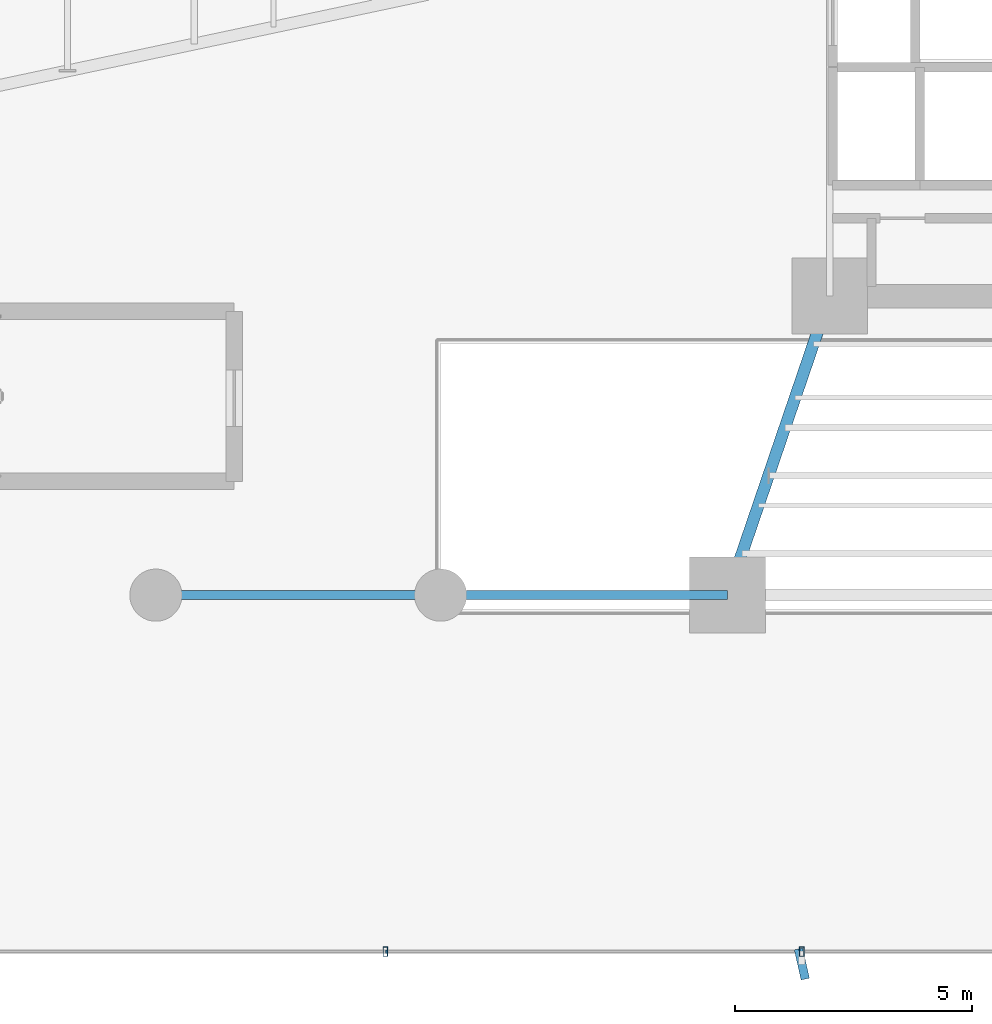
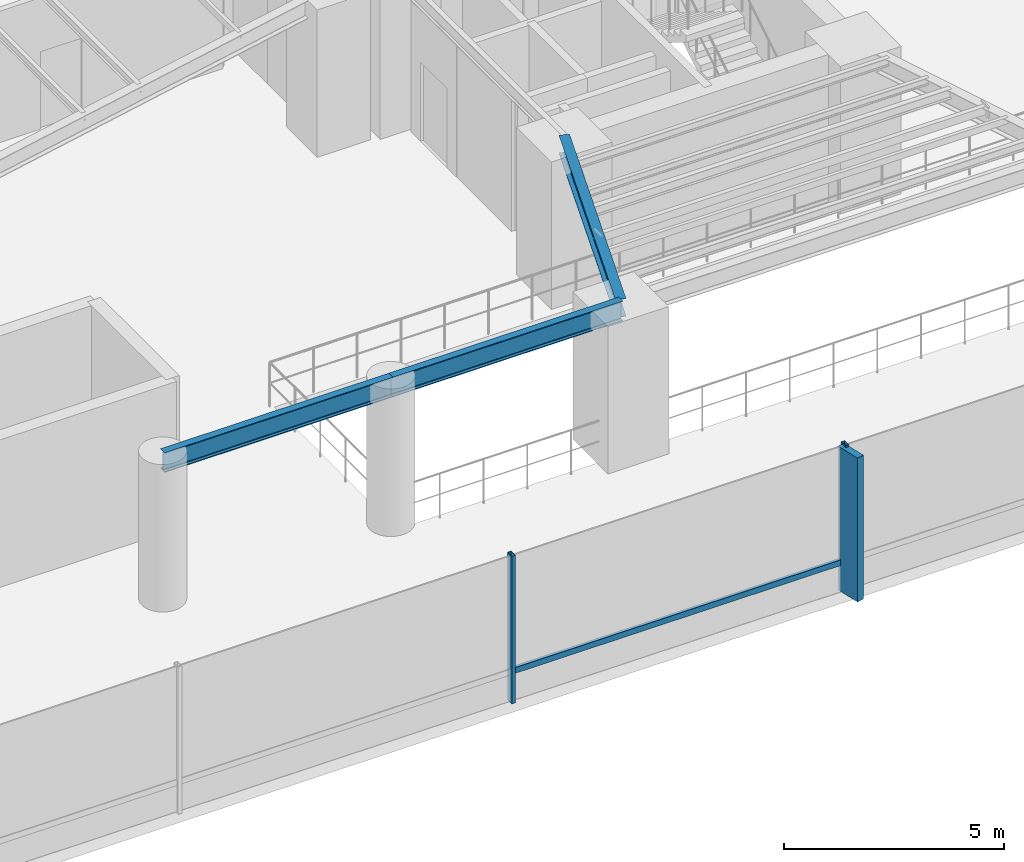
# One storey, part 4 of 23: 4 members, 3 beams, 1 element without a shape of its own.
"""IFC4 building model written with IfcOpenShell, lengths in metres."""

from ifc_helpers import new_model, si_unit, direction, frame, origin, origin_2d, place, context, subcontext, project, spatial, rectangle, hollow_rectangle, i_section, extrude, source, transform, mapped, material, material_profile, profile_set, type_object, element, aggregate, save


model = new_model("IFC4")

# Units and contexts
model_context = context("Model", 3, precision=1e-05, world=origin(), true_north=direction((0.0, 1.0)))
body_context = subcontext(model_context, "Body", "Model", "MODEL_VIEW")
ifc_project = project(units=[si_unit("LENGTHUNIT", "METRE"), si_unit("AREAUNIT", "SQUARE_METRE"), si_unit("VOLUMEUNIT", "CUBIC_METRE"), si_unit("PLANEANGLEUNIT", "RADIAN"), si_unit("MASSUNIT", "GRAM", prefix="KILO")], contexts=[model_context])

# Site, building, storey
site_placement = place(None, origin())
site = spatial("IfcSite", under=ifc_project, at=site_placement, CompositionType="ELEMENT")
building_placement = place(site_placement, origin())
building = spatial("IfcBuilding", under=site, at=building_placement, Name="Sahyath Konkavel Grand Hotel", CompositionType="ELEMENT")
storey_placement = place(building_placement, frame((0.0, 0.0, 4.800048828125)))
storey = spatial("IfcBuildingStorey", under=building, at=storey_placement, Name="L01", CompositionType="ELEMENT", Elevation=4.800048828125)

# Beams
ifc_material_1 = material(Name="Steel E350", Category="steel")
ifc_material_profile_1 = material_profile(ifc_material_1, i_section(OverallWidth=0.25, OverallDepth=0.5, WebThickness=0.010009765625, FlangeThickness=0.0146484375, FilletRadius=0.014892578125, at=origin_2d()), Name="ISWB 500")
ifc_profile_set_1 = profile_set([ifc_material_profile_1], Name="Steel E350")
beam_type_1 = type_object("IfcBeamType", Name="BM-ISWB500", PredefinedType="BEAM", material=ifc_profile_set_1)
shared_shape_1 = source(origin(), body_context, "Body", "SweptSolid", [
    extrude(i_section(OverallWidth=0.25, OverallDepth=0.5, WebThickness=0.010009765625, FlangeThickness=0.0146484375, FilletRadius=0.014892578125, at=origin_2d()), origin(), (0.0, 0.0, 1.0), 6.65673828125),
])
beam_1_placement = place(storey_placement, frame((-3.800048828125, -10.199951171875, 3.849853515625), z_axis=(-0.322964397437, -0.946411114679, 0.0), x_axis=(0.946411114679, -0.322964397437, 0.0)))
element("IfcBeam", 1, at=beam_1_placement, inside=storey, type_object=beam_type_1, Name="L01 Podium Primary Girder SA", PredefinedType="BEAM", context=body_context, shape_type="MappedRepresentation", body=[
    mapped(shared_shape_1, transform((0.0, 0.0, 0.0), scale=1.0)),
])
ifc_material_profile_2 = material_profile(ifc_material_1, i_section(OverallWidth=0.18994140625, OverallDepth=0.550048828125, WebThickness=0.01123046875, FlangeThickness=0.019287109375, FilletRadius=0.01806640625, at=origin_2d()), Name="ISMB 550")
ifc_profile_set_2 = profile_set([ifc_material_profile_2], Name="Steel E350")
beam_type_2 = type_object("IfcBeamType", Name="BM-ISMB550", PredefinedType="BEAM", material=ifc_profile_set_2)
shared_shape_2 = source(origin(), body_context, "Body", "SweptSolid", [
    extrude(i_section(OverallWidth=0.18994140625, OverallDepth=0.550048828125, WebThickness=0.01123046875, FlangeThickness=0.019287109375, FilletRadius=0.01806640625, at=origin_2d()), origin(), (0.0, 0.0, 1.0), 6.0),
])
beam_2_placement = place(storey_placement, frame((-18.0, -16.5, 3.824951171875), z_axis=(1.0, 0.0, 0.0), x_axis=(0.0, 1.0, 0.0)))
element("IfcBeam", 2, at=beam_2_placement, inside=storey, type_object=beam_type_2, Name="str:bm:L01:POD-05", PredefinedType="BEAM", context=body_context, shape_type="MappedRepresentation", body=[
    mapped(shared_shape_2, transform((0.0, 0.0, 0.0), scale=1.0)),
])
shared_shape_3 = source(origin(), body_context, "Body", "SweptSolid", [
    extrude(i_section(OverallWidth=0.18994140625, OverallDepth=0.550048828125, WebThickness=0.01123046875, FlangeThickness=0.019287109375, FilletRadius=0.01806640625, at=origin_2d()), origin(), (0.0, 0.0, 1.0), 6.050048828125),
])
beam_3_placement = place(storey_placement, frame((-12.0, -16.5, 3.824951171875), z_axis=(1.0, 0.0, 0.0), x_axis=(0.0, 1.0, 0.0)))
element("IfcBeam", 3, at=beam_3_placement, inside=storey, type_object=beam_type_2, Name="str:bm:L01:POD-06", PredefinedType="BEAM", context=body_context, shape_type="MappedRepresentation", body=[
    mapped(shared_shape_3, transform((0.0, 0.0, 0.0), scale=1.0)),
])

# Curtain wall, members
ifc_material_2 = material(Name="Anodised Bronze Aluminium & Low-E Glazing", Category="aluminium")
curtain_wall_type = type_object("IfcCurtainWallType", Name="CW-PODIUM", PredefinedType="NOTDEFINED", material=ifc_material_2)
curtain_wall_placement = place(storey_placement, origin())
curtain_wall = element("IfcCurtainWall", 4, at=curtain_wall_placement, inside=storey, type_object=curtain_wall_type, Name="L01 Unitised Curtain Wall S", PredefinedType="NOTDEFINED")
ifc_material_3 = material(Name="Anodised Bronze Aluminium", Category="aluminium")
ifc_material_profile_3 = material_profile(ifc_material_3, hollow_rectangle(XDim=0.10009765625, YDim=0.199951171875, WallThickness=0.008056640625, at=origin_2d()), Name="RHS 200x100x8")
ifc_profile_set_3 = profile_set([ifc_material_profile_3], Name="Anodised Bronze Aluminium")
member_type_1 = type_object("IfcMemberType", Name="CW-MUL-200", PredefinedType="MULLION", material=ifc_profile_set_3)
shared_shape_4 = source(origin(), body_context, "Body", "SweptSolid", [
    extrude(hollow_rectangle(XDim=0.10009765625, YDim=0.199951171875, WallThickness=0.008056640625, at=origin_2d()), origin(), (0.0, 0.0, 1.0), 4.099853515625),
])
member_1_placement = place(storey_placement, frame((-13.162353515625, -24.012939453125, 0.0), z_axis=(0.0, 0.0, 1.0), x_axis=(1.0, 0.0, 0.0)))
member_1 = element("IfcMember", 5, at=member_1_placement, type_object=member_type_1, Name="L01 Curtain Wall Mullion S-2", PredefinedType="MULLION", context=body_context, shape_type="MappedRepresentation", body=[
    mapped(shared_shape_4, transform((0.0, 0.0, 0.0), scale=1.0)),
])
member_2_placement = place(storey_placement, frame((-4.387451171875, -24.012939453125, 0.0), z_axis=(0.0, 0.0, 1.0), x_axis=(1.0, 0.0, 0.0)))
member_2 = element("IfcMember", 6, at=member_2_placement, type_object=member_type_1, Name="L01 Curtain Wall Mullion S-3", PredefinedType="MULLION", context=body_context, shape_type="MappedRepresentation", body=[
    mapped(shared_shape_4, transform((0.0, 0.0, 0.0), scale=1.0)),
])
ifc_material_4 = material(Name="Warm Buff Sandstone Cladding on Concrete C50/60", Category="masonry")
ifc_material_profile_4 = material_profile(ifc_material_4, rectangle(XDim=0.179931640625, YDim=0.64990234375, at=origin_2d()), Name="FIN 180x650")
ifc_profile_set_4 = profile_set([ifc_material_profile_4], Name="Warm Buff Sandstone Cladding on Concrete C50/60")
member_type_2 = type_object("IfcMemberType", Name="FIN-SANDSTONE-650", PredefinedType="MULLION", material=ifc_profile_set_4)
shared_shape_5 = source(origin(), body_context, "Body", "SweptSolid", [
    extrude(rectangle(XDim=0.179931640625, YDim=0.64990234375, at=origin_2d()), origin(), (0.0, 0.0, 1.0), 4.0),
])
member_3_placement = place(storey_placement, frame((-4.387451171875, -24.27294921875, 0.050048828125), z_axis=(0.0, 0.0, 1.0), x_axis=(0.975419299024, 0.220356962886, 0.0)))
member_3 = element("IfcMember", 7, at=member_3_placement, type_object=member_type_2, Name="L01 Sandstone Vertical Solar Fin FIN S-3", PredefinedType="MULLION", context=body_context, shape_type="MappedRepresentation", body=[
    mapped(shared_shape_5, transform((0.0, 0.0, 0.0), scale=1.0)),
])
ifc_material_profile_5 = material_profile(ifc_material_3, hollow_rectangle(XDim=0.080078125, YDim=0.159912109375, WallThickness=0.006103515625, at=origin_2d()), Name="RHS 160x80x6")
ifc_profile_set_5 = profile_set([ifc_material_profile_5], Name="Anodised Bronze Aluminium")
member_type_3 = type_object("IfcMemberType", Name="CW-TRN-160", PredefinedType="USERDEFINED", material=ifc_profile_set_5)
shared_shape_6 = source(origin(), body_context, "Body", "SweptSolid", [
    extrude(hollow_rectangle(XDim=0.080078125, YDim=0.159912109375, WallThickness=0.006103515625, at=origin_2d()), origin(), (0.0, 0.0, 1.0), 8.77490234375),
])
member_4_placement = place(storey_placement, frame((-13.162353515625, -24.012939453125, 0.849853515625), z_axis=(1.0, 0.0, 0.0), x_axis=(0.0, 1.0, 0.0)))
member_4 = element("IfcMember", 8, at=member_4_placement, type_object=member_type_3, Name="L01 Curtain Wall Transom S-2-spandrel", ObjectType="TRANSOM", PredefinedType="USERDEFINED", context=body_context, shape_type="MappedRepresentation", body=[
    mapped(shared_shape_6, transform((0.0, 0.0, 0.0), scale=1.0)),
])
aggregate(curtain_wall, [member_1, member_2, member_3, member_4])

save(model, "model.ifc")
